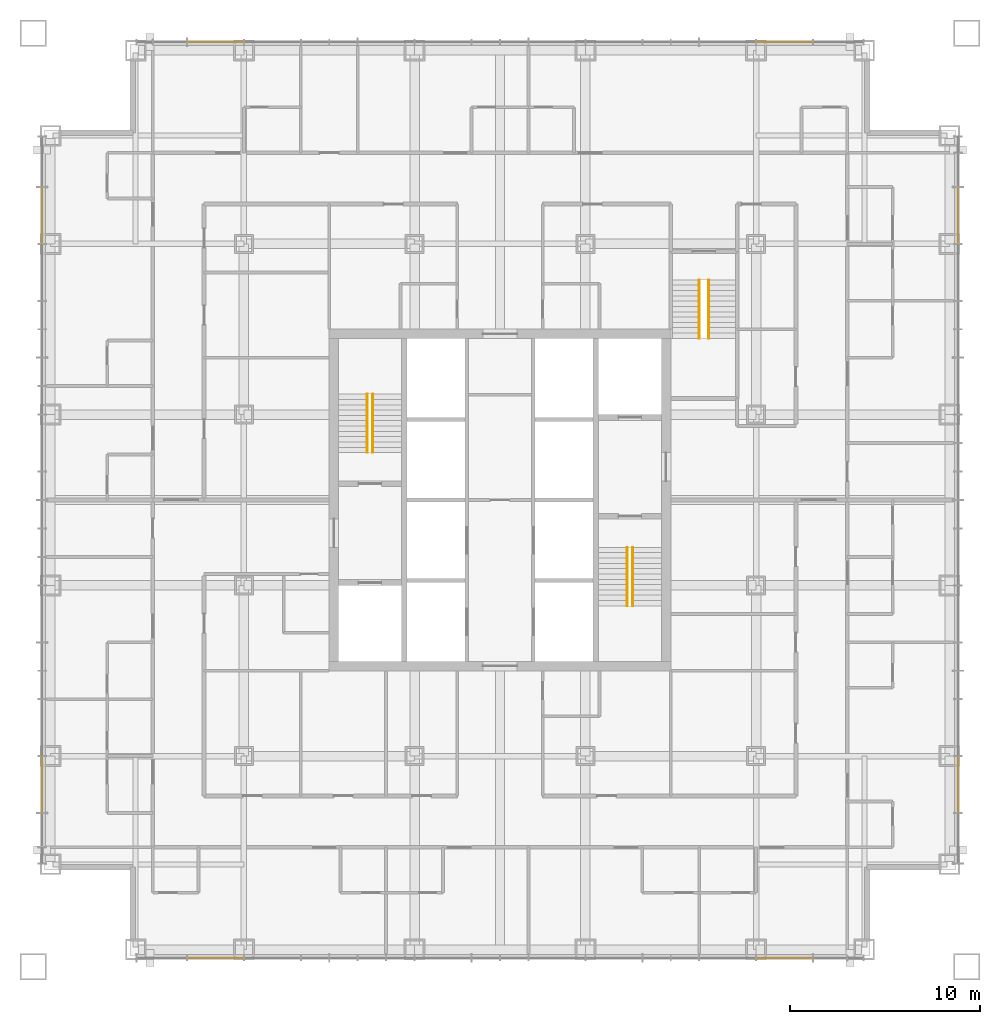
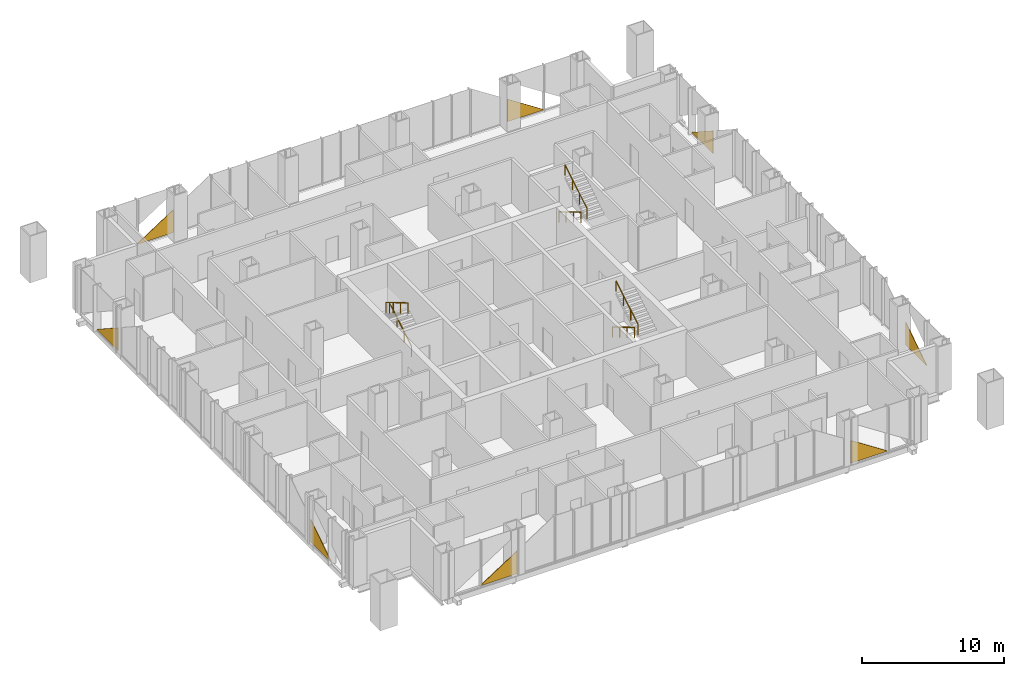
# One storey, part 14 of 16: 8 coverings, 6 railings.
"""IFC4 building model written with IfcOpenShell, lengths in metres."""

from ifc_helpers import new_model, si_unit, direction, frame, origin, origin_2d, place, context, subcontext, project, spatial, polyline, circle, outline, extrude, material, layer, layer_set, type_object, element, save


model = new_model("IFC4")

# Units and contexts
model_context = context("Model", 3, precision=1e-05, world=origin(), true_north=direction((0.0, 1.0)))
body_context = subcontext(model_context, "Body", "Model", "MODEL_VIEW")
ifc_project = project(units=[si_unit("LENGTHUNIT", "METRE"), si_unit("AREAUNIT", "SQUARE_METRE"), si_unit("VOLUMEUNIT", "CUBIC_METRE"), si_unit("PLANEANGLEUNIT", "RADIAN"), si_unit("MASSUNIT", "GRAM", prefix="KILO")], contexts=[model_context])

# Site, building, storey
site_placement = place(None, origin())
site = spatial("IfcSite", under=ifc_project, at=site_placement, CompositionType="ELEMENT")
building_placement = place(site_placement, origin())
building = spatial("IfcBuilding", under=site, at=building_placement, Name="Malebo Sky Hospital", CompositionType="ELEMENT")
storey_placement = place(building_placement, frame((0.0, 0.0, 144.0)))
storey = spatial("IfcBuildingStorey", under=building, at=storey_placement, Name="L34", CompositionType="ELEMENT", Elevation=144.0)

# Coverings
ifc_material_1 = material(Name="Anodised aluminium, natural silver insulated infill panel", Category="aluminium")
ifc_layer = layer(ifc_material_1, 0.0400390625)
ifc_layer_set = layer_set([ifc_layer], Name="BRACE INFILL PANEL 40")
covering_type = type_object("IfcCoveringType", Name="BRACE INFILL PANEL 40", PredefinedType="CLADDING", material=ifc_layer_set)
covering_1_placement = place(storey_placement, frame((45.0, 86.135009765625, 0.099853515625), z_axis=(0.0, 0.0, 1.0), x_axis=(1.0, 0.0, 0.0)))
element("IfcCovering", 1, at=covering_1_placement, inside=storey, type_object=covering_type, Name="Brace infill panel 3.1", PredefinedType="CLADDING", context=body_context, shape_type="SweptSolid", body=[
    extrude(outline(polyline([(-1.46240234375, 0.0), (1.46240234375, 0.0), (1.46240234375, 1.94921875), (-1.46240234375, 0.046630859375), (-1.46240234375, 0.0)])), frame((0.0, 0.02001953125, 0.0), z_axis=(0.0, -1.0, 0.0), x_axis=(1.0, 0.0, 0.0)), (0.0, 0.0, 1.0), 0.0400390625),
])
covering_2_placement = place(storey_placement, frame((75.0, 86.135009765625, 0.099853515625), z_axis=(0.0, 0.0, 1.0), x_axis=(1.0, 0.0, 0.0)))
element("IfcCovering", 2, at=covering_2_placement, inside=storey, type_object=covering_type, Name="Brace infill panel 16.1", PredefinedType="CLADDING", context=body_context, shape_type="SweptSolid", body=[
    extrude(outline(polyline([(-1.46240234375, 0.0), (1.46240234375, 0.0), (1.46240234375, 0.046630859375), (-1.46240234375, 1.94921875), (-1.46240234375, 0.0)])), frame((0.0, 0.02001953125, 0.0), z_axis=(0.0, -1.0, 0.0), x_axis=(1.0, 0.0, 0.0)), (0.0, 0.0, 1.0), 0.0400390625),
])
covering_3_placement = place(storey_placement, frame((35.864990234375, 47.0, 0.099853515625), z_axis=(0.0, 0.0, 1.0), x_axis=(0.0, 1.0, 0.0)))
element("IfcCovering", 3, at=covering_3_placement, inside=storey, type_object=covering_type, Name="Brace infill panel 3.1", PredefinedType="CLADDING", context=body_context, shape_type="SweptSolid", body=[
    extrude(outline(polyline([(-1.46240234375, 0.0), (1.46240234375, 0.0), (1.46240234375, 1.94921875), (-1.46240234375, 0.046630859375), (-1.46240234375, 0.0)])), frame((0.0, 0.02001953125, 0.0), z_axis=(0.0, -1.0, 0.0), x_axis=(1.0, 0.0, 0.0)), (0.0, 0.0, 1.0), 0.0400390625),
])
covering_4_placement = place(storey_placement, frame((35.864990234375, 77.0, 0.099853515625), z_axis=(0.0, 0.0, 1.0), x_axis=(0.0, 1.0, 0.0)))
element("IfcCovering", 4, at=covering_4_placement, inside=storey, type_object=covering_type, Name="Brace infill panel 18.1", PredefinedType="CLADDING", context=body_context, shape_type="SweptSolid", body=[
    extrude(outline(polyline([(-1.46240234375, 0.0), (1.46240234375, 0.0), (1.46240234375, 0.046630859375), (-1.46240234375, 1.94921875), (-1.46240234375, 0.0)])), frame((0.0, 0.02001953125, 0.0), z_axis=(0.0, -1.0, 0.0), x_axis=(1.0, 0.0, 0.0)), (0.0, 0.0, 1.0), 0.0400390625),
])
covering_5_placement = place(storey_placement, frame((75.0, 37.864990234375, 0.099853515625), z_axis=(0.0, 0.0, 1.0), x_axis=(-1.0, 0.0, 0.0)))
element("IfcCovering", 5, at=covering_5_placement, inside=storey, type_object=covering_type, Name="Brace infill panel 3.1", PredefinedType="CLADDING", context=body_context, shape_type="SweptSolid", body=[
    extrude(outline(polyline([(-1.46240234375, 0.0), (1.46240234375, 0.0), (1.46240234375, 1.94921875), (-1.46240234375, 0.046630859375), (-1.46240234375, 0.0)])), frame((0.0, 0.02001953125, 0.0), z_axis=(0.0, -1.0, 0.0), x_axis=(1.0, 0.0, 0.0)), (0.0, 0.0, 1.0), 0.0400390625),
])
covering_6_placement = place(storey_placement, frame((45.0, 37.864990234375, 0.099853515625), z_axis=(0.0, 0.0, 1.0), x_axis=(-1.0, 0.0, 0.0)))
element("IfcCovering", 6, at=covering_6_placement, inside=storey, type_object=covering_type, Name="Brace infill panel 17.1", PredefinedType="CLADDING", context=body_context, shape_type="SweptSolid", body=[
    extrude(outline(polyline([(-1.46240234375, 0.0), (1.46240234375, 0.0), (1.46240234375, 0.046630859375), (-1.46240234375, 1.94921875), (-1.46240234375, 0.0)])), frame((0.0, 0.02001953125, 0.0), z_axis=(0.0, -1.0, 0.0), x_axis=(1.0, 0.0, 0.0)), (0.0, 0.0, 1.0), 0.0400390625),
])
covering_7_placement = place(storey_placement, frame((84.135009765625, 77.0, 0.099853515625), z_axis=(0.0, 0.0, 1.0), x_axis=(0.0, -1.0, 0.0)))
element("IfcCovering", 7, at=covering_7_placement, inside=storey, type_object=covering_type, Name="Brace infill panel 3.1", PredefinedType="CLADDING", context=body_context, shape_type="SweptSolid", body=[
    extrude(outline(polyline([(-1.46240234375, 0.0), (1.46240234375, 0.0), (1.46240234375, 1.94921875), (-1.46240234375, 0.046630859375), (-1.46240234375, 0.0)])), frame((0.0, 0.02001953125, 0.0), z_axis=(0.0, -1.0, 0.0), x_axis=(1.0, 0.0, 0.0)), (0.0, 0.0, 1.0), 0.0400390625),
])
covering_8_placement = place(storey_placement, frame((84.135009765625, 47.0, 0.099853515625), z_axis=(0.0, 0.0, 1.0), x_axis=(0.0, -1.0, 0.0)))
element("IfcCovering", 8, at=covering_8_placement, inside=storey, type_object=covering_type, Name="Brace infill panel 17.1", PredefinedType="CLADDING", context=body_context, shape_type="SweptSolid", body=[
    extrude(outline(polyline([(-1.46240234375, 0.0), (1.46240234375, 0.0), (1.46240234375, 0.046630859375), (-1.46240234375, 1.94921875), (-1.46240234375, 0.0)])), frame((0.0, 0.02001953125, 0.0), z_axis=(0.0, -1.0, 0.0), x_axis=(1.0, 0.0, 0.0)), (0.0, 0.0, 1.0), 0.0400390625),
])

# Railings
ifc_material_2 = material(Name="Stainless steel tube", Category="steel")
railing_type = type_object("IfcRailingType", Name="STAIR HANDRAIL 900", PredefinedType="HANDRAIL", material=ifc_material_2)
railing_1_placement = place(storey_placement, frame((53.300048828125, 64.5, 0.166748046875)))
element("IfcRailing", 9, at=railing_1_placement, inside=storey, type_object=railing_type, Name="Stair handrail S1 flight 1", PredefinedType="HANDRAIL", context=body_context, shape_type="SweptSolid", body=[
    extrude(circle(Radius=0.02392578125, at=origin_2d()), frame((0.0, 0.0, 0.8759765625), z_axis=(0.0, 0.859308565015, 0.511457515432), x_axis=(-1.0, 0.0, 0.0)), (0.0, 0.0, 1.0), 3.58447265625),
    extrude(circle(Radius=0.02099609375, at=origin_2d()), origin(), (0.0, 0.0, 1.0), 0.851806640625),
    extrude(circle(Radius=0.02099609375, at=origin_2d()), frame((0.0, 1.026611328125, 0.611083984375)), (0.0, 0.0, 1.0), 0.851806640625),
    extrude(circle(Radius=0.02099609375, at=origin_2d()), frame((0.0, 2.053466796875, 1.22216796875)), (0.0, 0.0, 1.0), 0.851806640625),
    extrude(circle(Radius=0.02099609375, at=origin_2d()), frame((0.0, 3.080078125, 1.833251953125)), (0.0, 0.0, 1.0), 0.851806640625),
])
for number, where, name in (
    (10, (53.0, 67.580078125, 2.166748046875), "Stair handrail S1 flight 2"),
    (11, (66.699951171875, 59.5, 0.166748046875), "Stair handrail S2 flight 1"),
):
    element("IfcRailing", number, at=place(storey_placement, frame(where)), inside=storey, type_object=railing_type, Name=name, PredefinedType="HANDRAIL", context=body_context, shape_type="SweptSolid", body=[
        extrude(circle(Radius=0.02392578125, at=origin_2d()), frame((0.0, 0.0, 0.8759765625), z_axis=(0.0, -0.859308565015, 0.511457515432), x_axis=(1.0, 0.0, 0.0)), (0.0, 0.0, 1.0), 3.58447265625),
        extrude(circle(Radius=0.02099609375, at=origin_2d()), origin(), (0.0, 0.0, 1.0), 0.851806640625),
        extrude(circle(Radius=0.02099609375, at=origin_2d()), frame((0.0, -1.026611328125, 0.611083984375)), (0.0, 0.0, 1.0), 0.851806640625),
        extrude(circle(Radius=0.02099609375, at=origin_2d()), frame((0.0, -2.053466796875, 1.22216796875)), (0.0, 0.0, 1.0), 0.851806640625),
        extrude(circle(Radius=0.02099609375, at=origin_2d()), frame((0.0, -3.080078125, 1.833251953125)), (0.0, 0.0, 1.0), 0.851806640625),
    ])
railing_2_placement = place(storey_placement, frame((67.0, 56.419921875, 2.166748046875)))
element("IfcRailing", 12, at=railing_2_placement, inside=storey, type_object=railing_type, Name="Stair handrail S2 flight 2", PredefinedType="HANDRAIL", context=body_context, shape_type="SweptSolid", body=[
    extrude(circle(Radius=0.02392578125, at=origin_2d()), frame((0.0, 0.0, 0.8759765625), z_axis=(0.0, 0.859308565015, 0.511457515432), x_axis=(-1.0, 0.0, 0.0)), (0.0, 0.0, 1.0), 3.58447265625),
    extrude(circle(Radius=0.02099609375, at=origin_2d()), origin(), (0.0, 0.0, 1.0), 0.851806640625),
    extrude(circle(Radius=0.02099609375, at=origin_2d()), frame((0.0, 1.026611328125, 0.611083984375)), (0.0, 0.0, 1.0), 0.851806640625),
    extrude(circle(Radius=0.02099609375, at=origin_2d()), frame((0.0, 2.053466796875, 1.22216796875)), (0.0, 0.0, 1.0), 0.851806640625),
    extrude(circle(Radius=0.02099609375, at=origin_2d()), frame((0.0, 3.080078125, 1.833251953125)), (0.0, 0.0, 1.0), 0.851806640625),
])
railing_3_placement = place(storey_placement, frame((70.5, 73.60009765625, 0.166748046875)))
element("IfcRailing", 13, at=railing_3_placement, inside=storey, type_object=railing_type, Name="Stair handrail S3 flight 1", PredefinedType="HANDRAIL", context=body_context, shape_type="SweptSolid", body=[
    extrude(circle(Radius=0.02392578125, at=origin_2d()), frame((0.0, 0.0, 0.8759765625), z_axis=(0.0, -0.859308565015, 0.511457515432), x_axis=(1.0, 0.0, 0.0)), (0.0, 0.0, 1.0), 3.58447265625),
    extrude(circle(Radius=0.02099609375, at=origin_2d()), origin(), (0.0, 0.0, 1.0), 0.851806640625),
    extrude(circle(Radius=0.02099609375, at=origin_2d()), frame((0.0, -1.026611328125, 0.611083984375)), (0.0, 0.0, 1.0), 0.851806640625),
    extrude(circle(Radius=0.02099609375, at=origin_2d()), frame((0.0, -2.053466796875, 1.22216796875)), (0.0, 0.0, 1.0), 0.851806640625),
    extrude(circle(Radius=0.02099609375, at=origin_2d()), frame((0.0, -3.080078125, 1.833251953125)), (0.0, 0.0, 1.0), 0.851806640625),
])
railing_4_placement = place(storey_placement, frame((71.0, 70.52001953125, 2.166748046875)))
element("IfcRailing", 14, at=railing_4_placement, inside=storey, type_object=railing_type, Name="Stair handrail S3 flight 2", PredefinedType="HANDRAIL", context=body_context, shape_type="SweptSolid", body=[
    extrude(circle(Radius=0.02392578125, at=origin_2d()), frame((0.0, 0.0, 0.8759765625), z_axis=(0.0, 0.859308565015, 0.511457515432), x_axis=(-1.0, 0.0, 0.0)), (0.0, 0.0, 1.0), 3.58447265625),
    extrude(circle(Radius=0.02099609375, at=origin_2d()), origin(), (0.0, 0.0, 1.0), 0.851806640625),
    extrude(circle(Radius=0.02099609375, at=origin_2d()), frame((0.0, 1.026611328125, 0.611083984375)), (0.0, 0.0, 1.0), 0.851806640625),
    extrude(circle(Radius=0.02099609375, at=origin_2d()), frame((0.0, 2.053466796875, 1.22216796875)), (0.0, 0.0, 1.0), 0.851806640625),
    extrude(circle(Radius=0.02099609375, at=origin_2d()), frame((0.0, 3.080078125, 1.833251953125)), (0.0, 0.0, 1.0), 0.851806640625),
])

save(model, "model.ifc")
